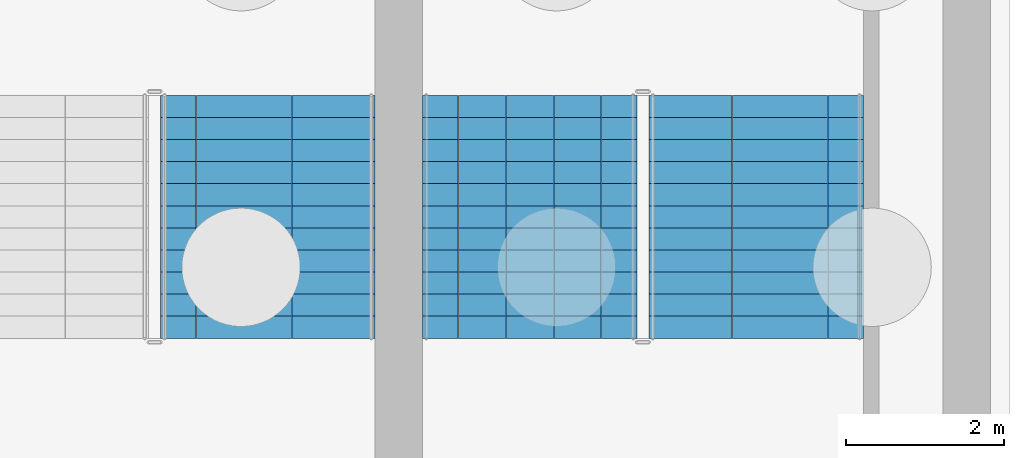
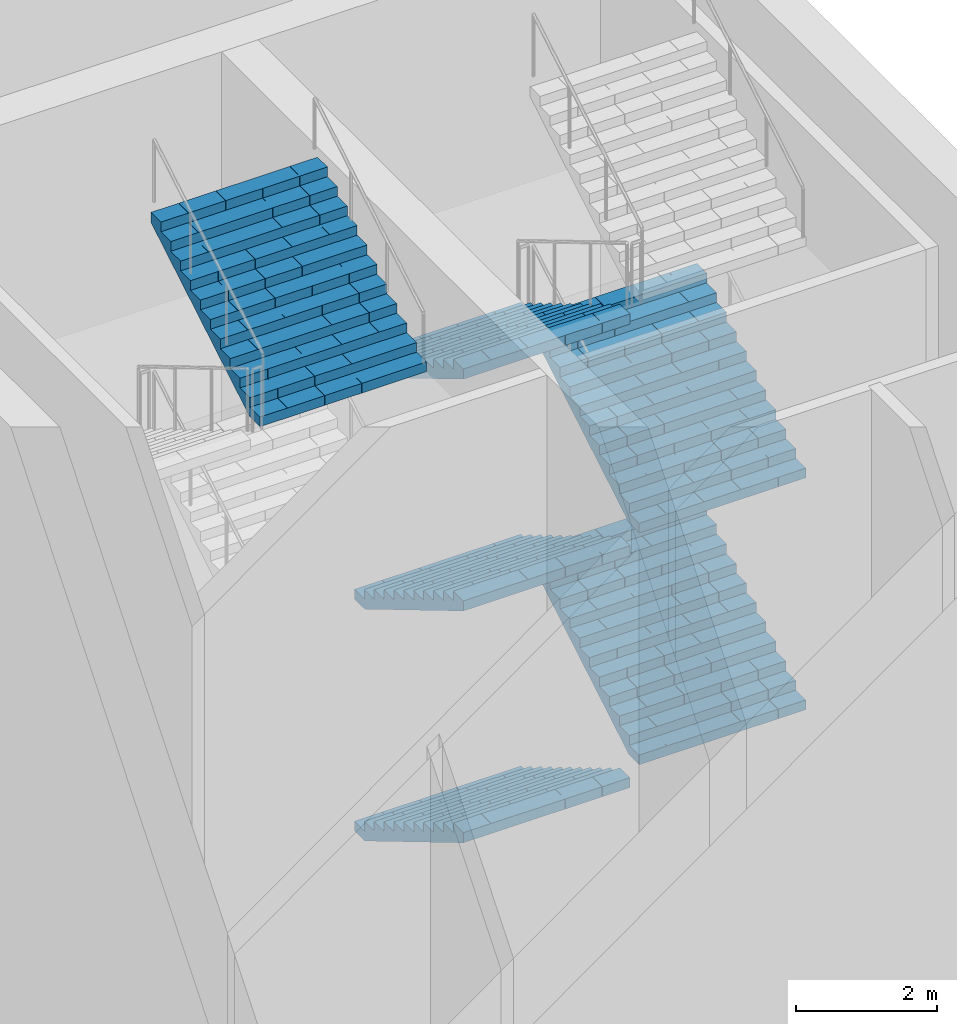
# One storey, part 18 of 34: 6 stair flights, 2 elements without a shape of their own.
"""IFC4 building model written with IfcOpenShell, lengths in metres."""

from ifc_helpers import new_model, si_unit, direction, frame, origin, place, context, subcontext, project, spatial, polyline, outline, extrude, material, type_object, element, aggregate, save


model = new_model("IFC4")

# Units and contexts
model_context = context("Model", 3, precision=1e-05, world=origin(), true_north=direction((0.0, 1.0)))
body_context = subcontext(model_context, "Body", "Model", "MODEL_VIEW")
ifc_project = project(units=[si_unit("LENGTHUNIT", "METRE"), si_unit("AREAUNIT", "SQUARE_METRE"), si_unit("VOLUMEUNIT", "CUBIC_METRE"), si_unit("PLANEANGLEUNIT", "RADIAN"), si_unit("MASSUNIT", "GRAM", prefix="KILO")], contexts=[model_context])

# Site, building, storey
site_placement = place(None, origin())
site = spatial("IfcSite", under=ifc_project, at=site_placement, CompositionType="ELEMENT")
building_placement = place(site_placement, origin())
building = spatial("IfcBuilding", under=site, at=building_placement, Name="Corbelhall Arena Tower", CompositionType="ELEMENT")
storey_placement = place(building_placement, origin())
storey = spatial("IfcBuildingStorey", under=building, at=storey_placement, Name="L00", CompositionType="ELEMENT", Elevation=0.0)

# Stair, stair flight
ifc_material = material(Name="Reinforced concrete C40/50", Category="concrete")
stair_type = type_object("IfcStairType", Name="AR-EXIT-STAIR", PredefinedType="HALF_TURN_STAIR", material=ifc_material)
stair_1_placement = place(storey_placement, origin())
stair_1 = element("IfcStair", 1, at=stair_1_placement, inside=storey, type_object=stair_type, Name="L00 exit stair AS5", PredefinedType="HALF_TURN_STAIR")
stair_flight_type = type_object("IfcStairFlightType", Name="AR-EXIT-FLIGHT", PredefinedType="STRAIGHT", material=ifc_material)
stair_flight_1_placement = place(storey_placement, frame((38.840087890625, -30.39990234375, 10.0), z_axis=(0.0, 0.0, 1.0), x_axis=(0.0, 1.0, 0.0)))
stair_flight_1 = element("IfcStairFlight", 2, at=stair_flight_1_placement, type_object=stair_flight_type, Name="AS5 flight 6", NumberOfRisers=12, NumberOfTreads=11, PredefinedType="STRAIGHT", RiserHeight=0.166666667, TreadLength=0.28, context=body_context, shape_type="SweptSolid", body=[
    extrude(outline(polyline([(0.0, 0.0), (0.0, 0.166748046875), (0.280029296875, 0.166748046875), (0.280029296875, 0.333251953125), (0.56005859375, 0.333251953125), (0.56005859375, 0.5), (0.840087890625, 0.5), (0.840087890625, 0.666748046875), (1.1201171875, 0.666748046875), (1.1201171875, 0.833251953125), (1.39990234375, 0.833251953125), (1.39990234375, 1.0), (1.679931640625, 1.0), (1.679931640625, 1.166748046875), (1.9599609375, 1.166748046875), (1.9599609375, 1.333251953125), (2.239990234375, 1.333251953125), (2.239990234375, 1.5), (2.52001953125, 1.5), (2.52001953125, 1.666748046875), (2.800048828125, 1.666748046875), (2.800048828125, 1.833251953125), (3.080078125, 1.833251953125), (3.080078125, 2.0), (3.080078125, 1.658935546875), (0.29296875, 0.0), (0.0, 0.0)])), frame((0.0, 1.35986328125, 0.0), z_axis=(0.0, -1.0, 0.0), x_axis=(1.0, 0.0, 0.0)), (0.0, 0.0, 1.0), 0.449951171875),
    extrude(outline(polyline([(0.0, 0.0), (0.0, 0.166748046875), (0.280029296875, 0.166748046875), (0.280029296875, 0.333251953125), (0.56005859375, 0.333251953125), (0.56005859375, 0.5), (0.840087890625, 0.5), (0.840087890625, 0.666748046875), (1.1201171875, 0.666748046875), (1.1201171875, 0.833251953125), (1.39990234375, 0.833251953125), (1.39990234375, 1.0), (1.679931640625, 1.0), (1.679931640625, 1.166748046875), (1.9599609375, 1.166748046875), (1.9599609375, 1.333251953125), (2.239990234375, 1.333251953125), (2.239990234375, 1.5), (2.52001953125, 1.5), (2.52001953125, 1.666748046875), (2.800048828125, 1.666748046875), (2.800048828125, 1.833251953125), (3.080078125, 1.833251953125), (3.080078125, 2.0), (3.080078125, 1.658935546875), (0.29296875, 0.0), (0.0, 0.0)])), frame((0.0, 0.906005859375, 0.0), z_axis=(0.0, -1.0, 0.0), x_axis=(1.0, 0.0, 0.0)), (0.0, 0.0, 1.0), 0.601318359375),
    extrude(outline(polyline([(0.0, 0.0), (0.0, 0.166748046875), (0.280029296875, 0.166748046875), (0.280029296875, 0.333251953125), (0.56005859375, 0.333251953125), (0.56005859375, 0.5), (0.840087890625, 0.5), (0.840087890625, 0.666748046875), (1.1201171875, 0.666748046875), (1.1201171875, 0.833251953125), (1.39990234375, 0.833251953125), (1.39990234375, 1.0), (1.679931640625, 1.0), (1.679931640625, 1.166748046875), (1.9599609375, 1.166748046875), (1.9599609375, 1.333251953125), (2.239990234375, 1.333251953125), (2.239990234375, 1.5), (2.52001953125, 1.5), (2.52001953125, 1.666748046875), (2.800048828125, 1.666748046875), (2.800048828125, 1.833251953125), (3.080078125, 1.833251953125), (3.080078125, 2.0), (3.080078125, 1.658935546875), (0.29296875, 0.0), (0.0, 0.0)])), frame((0.0, 0.30078125, 0.0), z_axis=(0.0, -1.0, 0.0), x_axis=(1.0, 0.0, 0.0)), (0.0, 0.0, 1.0), 0.601318359375),
    extrude(outline(polyline([(0.0, 0.0), (0.0, 0.166748046875), (0.280029296875, 0.166748046875), (0.280029296875, 0.333251953125), (0.56005859375, 0.333251953125), (0.56005859375, 0.5), (0.840087890625, 0.5), (0.840087890625, 0.666748046875), (1.1201171875, 0.666748046875), (1.1201171875, 0.833251953125), (1.39990234375, 0.833251953125), (1.39990234375, 1.0), (1.679931640625, 1.0), (1.679931640625, 1.166748046875), (1.9599609375, 1.166748046875), (1.9599609375, 1.333251953125), (2.239990234375, 1.333251953125), (2.239990234375, 1.5), (2.52001953125, 1.5), (2.52001953125, 1.666748046875), (2.800048828125, 1.666748046875), (2.800048828125, 1.833251953125), (3.080078125, 1.833251953125), (3.080078125, 2.0), (3.080078125, 1.658935546875), (0.29296875, 0.0), (0.0, 0.0)])), frame((0.0, -0.3046875, 0.0), z_axis=(0.0, -1.0, 0.0), x_axis=(1.0, 0.0, 0.0)), (0.0, 0.0, 1.0), 0.601318359375),
    extrude(outline(polyline([(0.0, 0.0), (0.0, 0.166748046875), (0.280029296875, 0.166748046875), (0.280029296875, 0.333251953125), (0.56005859375, 0.333251953125), (0.56005859375, 0.5), (0.840087890625, 0.5), (0.840087890625, 0.666748046875), (1.1201171875, 0.666748046875), (1.1201171875, 0.833251953125), (1.39990234375, 0.833251953125), (1.39990234375, 1.0), (1.679931640625, 1.0), (1.679931640625, 1.166748046875), (1.9599609375, 1.166748046875), (1.9599609375, 1.333251953125), (2.239990234375, 1.333251953125), (2.239990234375, 1.5), (2.52001953125, 1.5), (2.52001953125, 1.666748046875), (2.800048828125, 1.666748046875), (2.800048828125, 1.833251953125), (3.080078125, 1.833251953125), (3.080078125, 2.0), (3.080078125, 1.658935546875), (0.29296875, 0.0), (0.0, 0.0)])), frame((0.0, -0.909912109375, 0.0), z_axis=(0.0, -1.0, 0.0), x_axis=(1.0, 0.0, 0.0)), (0.0, 0.0, 1.0), 0.449951171875),
])
aggregate(stair_1, [stair_flight_1])

# Stair, stair flights
stair_2_placement = place(storey_placement, origin())
stair_2 = element("IfcStair", 3, at=stair_2_placement, inside=storey, type_object=stair_type, Name="L00 exit stair AS6", PredefinedType="HALF_TURN_STAIR")
stair_flight_2_placement = place(storey_placement, frame((42.159912109375, -27.320068359375, 0.0), z_axis=(0.0, 0.0, 1.0), x_axis=(0.0, -1.0, 0.0)))
stair_flight_2 = element("IfcStairFlight", 4, at=stair_flight_2_placement, type_object=stair_flight_type, Name="AS6 flight 1", NumberOfRisers=12, NumberOfTreads=11, PredefinedType="STRAIGHT", RiserHeight=0.166666667, TreadLength=0.28, context=body_context, shape_type="SweptSolid", body=[
    extrude(outline(polyline([(0.0, 0.0), (0.0, 0.166748046875), (0.280029296875, 0.166748046875), (0.280029296875, 0.333251953125), (0.56005859375, 0.333251953125), (0.56005859375, 0.5), (0.840087890625, 0.5), (0.840087890625, 0.666748046875), (1.1201171875, 0.666748046875), (1.1201171875, 0.833251953125), (1.39990234375, 0.833251953125), (1.39990234375, 1.0), (1.679931640625, 1.0), (1.679931640625, 1.166748046875), (1.9599609375, 1.166748046875), (1.9599609375, 1.333251953125), (2.239990234375, 1.333251953125), (2.239990234375, 1.5), (2.52001953125, 1.5), (2.52001953125, 1.666748046875), (2.800048828125, 1.666748046875), (2.800048828125, 1.833251953125), (3.080078125, 1.833251953125), (3.080078125, 2.0), (3.080078125, 1.658935546875), (0.29296875, 0.0), (0.0, 0.0)])), frame((0.0, 1.35986328125, 0.0), z_axis=(0.0, -1.0, 0.0), x_axis=(1.0, 0.0, 0.0)), (0.0, 0.0, 1.0), 0.449951171875),
    extrude(outline(polyline([(0.0, 0.0), (0.0, 0.166748046875), (0.280029296875, 0.166748046875), (0.280029296875, 0.333251953125), (0.56005859375, 0.333251953125), (0.56005859375, 0.5), (0.840087890625, 0.5), (0.840087890625, 0.666748046875), (1.1201171875, 0.666748046875), (1.1201171875, 0.833251953125), (1.39990234375, 0.833251953125), (1.39990234375, 1.0), (1.679931640625, 1.0), (1.679931640625, 1.166748046875), (1.9599609375, 1.166748046875), (1.9599609375, 1.333251953125), (2.239990234375, 1.333251953125), (2.239990234375, 1.5), (2.52001953125, 1.5), (2.52001953125, 1.666748046875), (2.800048828125, 1.666748046875), (2.800048828125, 1.833251953125), (3.080078125, 1.833251953125), (3.080078125, 2.0), (3.080078125, 1.658935546875), (0.29296875, 0.0), (0.0, 0.0)])), frame((0.0, 0.906005859375, 0.0), z_axis=(0.0, -1.0, 0.0), x_axis=(1.0, 0.0, 0.0)), (0.0, 0.0, 1.0), 0.601318359375),
    extrude(outline(polyline([(0.0, 0.0), (0.0, 0.166748046875), (0.280029296875, 0.166748046875), (0.280029296875, 0.333251953125), (0.56005859375, 0.333251953125), (0.56005859375, 0.5), (0.840087890625, 0.5), (0.840087890625, 0.666748046875), (1.1201171875, 0.666748046875), (1.1201171875, 0.833251953125), (1.39990234375, 0.833251953125), (1.39990234375, 1.0), (1.679931640625, 1.0), (1.679931640625, 1.166748046875), (1.9599609375, 1.166748046875), (1.9599609375, 1.333251953125), (2.239990234375, 1.333251953125), (2.239990234375, 1.5), (2.52001953125, 1.5), (2.52001953125, 1.666748046875), (2.800048828125, 1.666748046875), (2.800048828125, 1.833251953125), (3.080078125, 1.833251953125), (3.080078125, 2.0), (3.080078125, 1.658935546875), (0.29296875, 0.0), (0.0, 0.0)])), frame((0.0, 0.30078125, 0.0), z_axis=(0.0, -1.0, 0.0), x_axis=(1.0, 0.0, 0.0)), (0.0, 0.0, 1.0), 0.601318359375),
    extrude(outline(polyline([(0.0, 0.0), (0.0, 0.166748046875), (0.280029296875, 0.166748046875), (0.280029296875, 0.333251953125), (0.56005859375, 0.333251953125), (0.56005859375, 0.5), (0.840087890625, 0.5), (0.840087890625, 0.666748046875), (1.1201171875, 0.666748046875), (1.1201171875, 0.833251953125), (1.39990234375, 0.833251953125), (1.39990234375, 1.0), (1.679931640625, 1.0), (1.679931640625, 1.166748046875), (1.9599609375, 1.166748046875), (1.9599609375, 1.333251953125), (2.239990234375, 1.333251953125), (2.239990234375, 1.5), (2.52001953125, 1.5), (2.52001953125, 1.666748046875), (2.800048828125, 1.666748046875), (2.800048828125, 1.833251953125), (3.080078125, 1.833251953125), (3.080078125, 2.0), (3.080078125, 1.658935546875), (0.29296875, 0.0), (0.0, 0.0)])), frame((0.0, -0.3046875, 0.0), z_axis=(0.0, -1.0, 0.0), x_axis=(1.0, 0.0, 0.0)), (0.0, 0.0, 1.0), 0.601318359375),
    extrude(outline(polyline([(0.0, 0.0), (0.0, 0.166748046875), (0.280029296875, 0.166748046875), (0.280029296875, 0.333251953125), (0.56005859375, 0.333251953125), (0.56005859375, 0.5), (0.840087890625, 0.5), (0.840087890625, 0.666748046875), (1.1201171875, 0.666748046875), (1.1201171875, 0.833251953125), (1.39990234375, 0.833251953125), (1.39990234375, 1.0), (1.679931640625, 1.0), (1.679931640625, 1.166748046875), (1.9599609375, 1.166748046875), (1.9599609375, 1.333251953125), (2.239990234375, 1.333251953125), (2.239990234375, 1.5), (2.52001953125, 1.5), (2.52001953125, 1.666748046875), (2.800048828125, 1.666748046875), (2.800048828125, 1.833251953125), (3.080078125, 1.833251953125), (3.080078125, 2.0), (3.080078125, 1.658935546875), (0.29296875, 0.0), (0.0, 0.0)])), frame((0.0, -0.909912109375, 0.0), z_axis=(0.0, -1.0, 0.0), x_axis=(1.0, 0.0, 0.0)), (0.0, 0.0, 1.0), 0.449951171875),
])
stair_flight_3_placement = place(storey_placement, frame((45.030029296875, -30.39990234375, 2.0), z_axis=(0.0, 0.0, 1.0), x_axis=(0.0, 1.0, 0.0)))
stair_flight_3 = element("IfcStairFlight", 5, at=stair_flight_3_placement, type_object=stair_flight_type, Name="AS6 flight 2", NumberOfRisers=12, NumberOfTreads=11, PredefinedType="STRAIGHT", RiserHeight=0.166666667, TreadLength=0.28, context=body_context, shape_type="SweptSolid", body=[
    extrude(outline(polyline([(0.0, 0.0), (0.0, 0.166748046875), (0.280029296875, 0.166748046875), (0.280029296875, 0.333251953125), (0.56005859375, 0.333251953125), (0.56005859375, 0.5), (0.840087890625, 0.5), (0.840087890625, 0.666748046875), (1.1201171875, 0.666748046875), (1.1201171875, 0.833251953125), (1.39990234375, 0.833251953125), (1.39990234375, 1.0), (1.679931640625, 1.0), (1.679931640625, 1.166748046875), (1.9599609375, 1.166748046875), (1.9599609375, 1.333251953125), (2.239990234375, 1.333251953125), (2.239990234375, 1.5), (2.52001953125, 1.5), (2.52001953125, 1.666748046875), (2.800048828125, 1.666748046875), (2.800048828125, 1.833251953125), (3.080078125, 1.833251953125), (3.080078125, 2.0), (3.080078125, 1.658935546875), (0.29296875, 0.0), (0.0, 0.0)])), frame((0.0, 1.35986328125, 0.0), z_axis=(0.0, -1.0, 0.0), x_axis=(1.0, 0.0, 0.0)), (0.0, 0.0, 1.0), 0.449951171875),
    extrude(outline(polyline([(0.0, 0.0), (0.0, 0.166748046875), (0.280029296875, 0.166748046875), (0.280029296875, 0.333251953125), (0.56005859375, 0.333251953125), (0.56005859375, 0.5), (0.840087890625, 0.5), (0.840087890625, 0.666748046875), (1.1201171875, 0.666748046875), (1.1201171875, 0.833251953125), (1.39990234375, 0.833251953125), (1.39990234375, 1.0), (1.679931640625, 1.0), (1.679931640625, 1.166748046875), (1.9599609375, 1.166748046875), (1.9599609375, 1.333251953125), (2.239990234375, 1.333251953125), (2.239990234375, 1.5), (2.52001953125, 1.5), (2.52001953125, 1.666748046875), (2.800048828125, 1.666748046875), (2.800048828125, 1.833251953125), (3.080078125, 1.833251953125), (3.080078125, 2.0), (3.080078125, 1.658935546875), (0.29296875, 0.0), (0.0, 0.0)])), frame((0.0, 0.906005859375, 0.0), z_axis=(0.0, -1.0, 0.0), x_axis=(1.0, 0.0, 0.0)), (0.0, 0.0, 1.0), 0.601318359375),
    extrude(outline(polyline([(0.0, 0.0), (0.0, 0.166748046875), (0.280029296875, 0.166748046875), (0.280029296875, 0.333251953125), (0.56005859375, 0.333251953125), (0.56005859375, 0.5), (0.840087890625, 0.5), (0.840087890625, 0.666748046875), (1.1201171875, 0.666748046875), (1.1201171875, 0.833251953125), (1.39990234375, 0.833251953125), (1.39990234375, 1.0), (1.679931640625, 1.0), (1.679931640625, 1.166748046875), (1.9599609375, 1.166748046875), (1.9599609375, 1.333251953125), (2.239990234375, 1.333251953125), (2.239990234375, 1.5), (2.52001953125, 1.5), (2.52001953125, 1.666748046875), (2.800048828125, 1.666748046875), (2.800048828125, 1.833251953125), (3.080078125, 1.833251953125), (3.080078125, 2.0), (3.080078125, 1.658935546875), (0.29296875, 0.0), (0.0, 0.0)])), frame((0.0, 0.30078125, 0.0), z_axis=(0.0, -1.0, 0.0), x_axis=(1.0, 0.0, 0.0)), (0.0, 0.0, 1.0), 0.601318359375),
    extrude(outline(polyline([(0.0, 0.0), (0.0, 0.166748046875), (0.280029296875, 0.166748046875), (0.280029296875, 0.333251953125), (0.56005859375, 0.333251953125), (0.56005859375, 0.5), (0.840087890625, 0.5), (0.840087890625, 0.666748046875), (1.1201171875, 0.666748046875), (1.1201171875, 0.833251953125), (1.39990234375, 0.833251953125), (1.39990234375, 1.0), (1.679931640625, 1.0), (1.679931640625, 1.166748046875), (1.9599609375, 1.166748046875), (1.9599609375, 1.333251953125), (2.239990234375, 1.333251953125), (2.239990234375, 1.5), (2.52001953125, 1.5), (2.52001953125, 1.666748046875), (2.800048828125, 1.666748046875), (2.800048828125, 1.833251953125), (3.080078125, 1.833251953125), (3.080078125, 2.0), (3.080078125, 1.658935546875), (0.29296875, 0.0), (0.0, 0.0)])), frame((0.0, -0.3046875, 0.0), z_axis=(0.0, -1.0, 0.0), x_axis=(1.0, 0.0, 0.0)), (0.0, 0.0, 1.0), 0.601318359375),
    extrude(outline(polyline([(0.0, 0.0), (0.0, 0.166748046875), (0.280029296875, 0.166748046875), (0.280029296875, 0.333251953125), (0.56005859375, 0.333251953125), (0.56005859375, 0.5), (0.840087890625, 0.5), (0.840087890625, 0.666748046875), (1.1201171875, 0.666748046875), (1.1201171875, 0.833251953125), (1.39990234375, 0.833251953125), (1.39990234375, 1.0), (1.679931640625, 1.0), (1.679931640625, 1.166748046875), (1.9599609375, 1.166748046875), (1.9599609375, 1.333251953125), (2.239990234375, 1.333251953125), (2.239990234375, 1.5), (2.52001953125, 1.5), (2.52001953125, 1.666748046875), (2.800048828125, 1.666748046875), (2.800048828125, 1.833251953125), (3.080078125, 1.833251953125), (3.080078125, 2.0), (3.080078125, 1.658935546875), (0.29296875, 0.0), (0.0, 0.0)])), frame((0.0, -0.909912109375, 0.0), z_axis=(0.0, -1.0, 0.0), x_axis=(1.0, 0.0, 0.0)), (0.0, 0.0, 1.0), 0.449951171875),
])
stair_flight_4_placement = place(storey_placement, frame((42.159912109375, -27.320068359375, 4.0), z_axis=(0.0, 0.0, 1.0), x_axis=(0.0, -1.0, 0.0)))
stair_flight_4 = element("IfcStairFlight", 6, at=stair_flight_4_placement, type_object=stair_flight_type, Name="AS6 flight 3", NumberOfRisers=12, NumberOfTreads=11, PredefinedType="STRAIGHT", RiserHeight=0.166666667, TreadLength=0.28, context=body_context, shape_type="SweptSolid", body=[
    extrude(outline(polyline([(0.0, 0.0), (0.0, 0.166748046875), (0.280029296875, 0.166748046875), (0.280029296875, 0.333251953125), (0.56005859375, 0.333251953125), (0.56005859375, 0.5), (0.840087890625, 0.5), (0.840087890625, 0.666748046875), (1.1201171875, 0.666748046875), (1.1201171875, 0.833251953125), (1.39990234375, 0.833251953125), (1.39990234375, 1.0), (1.679931640625, 1.0), (1.679931640625, 1.166748046875), (1.9599609375, 1.166748046875), (1.9599609375, 1.333251953125), (2.239990234375, 1.333251953125), (2.239990234375, 1.5), (2.52001953125, 1.5), (2.52001953125, 1.666748046875), (2.800048828125, 1.666748046875), (2.800048828125, 1.833251953125), (3.080078125, 1.833251953125), (3.080078125, 2.0), (3.080078125, 1.658935546875), (0.29296875, 0.0), (0.0, 0.0)])), frame((0.0, 1.35986328125, 0.0), z_axis=(0.0, -1.0, 0.0), x_axis=(1.0, 0.0, 0.0)), (0.0, 0.0, 1.0), 0.449951171875),
    extrude(outline(polyline([(0.0, 0.0), (0.0, 0.166748046875), (0.280029296875, 0.166748046875), (0.280029296875, 0.333251953125), (0.56005859375, 0.333251953125), (0.56005859375, 0.5), (0.840087890625, 0.5), (0.840087890625, 0.666748046875), (1.1201171875, 0.666748046875), (1.1201171875, 0.833251953125), (1.39990234375, 0.833251953125), (1.39990234375, 1.0), (1.679931640625, 1.0), (1.679931640625, 1.166748046875), (1.9599609375, 1.166748046875), (1.9599609375, 1.333251953125), (2.239990234375, 1.333251953125), (2.239990234375, 1.5), (2.52001953125, 1.5), (2.52001953125, 1.666748046875), (2.800048828125, 1.666748046875), (2.800048828125, 1.833251953125), (3.080078125, 1.833251953125), (3.080078125, 2.0), (3.080078125, 1.658935546875), (0.29296875, 0.0), (0.0, 0.0)])), frame((0.0, 0.906005859375, 0.0), z_axis=(0.0, -1.0, 0.0), x_axis=(1.0, 0.0, 0.0)), (0.0, 0.0, 1.0), 0.601318359375),
    extrude(outline(polyline([(0.0, 0.0), (0.0, 0.166748046875), (0.280029296875, 0.166748046875), (0.280029296875, 0.333251953125), (0.56005859375, 0.333251953125), (0.56005859375, 0.5), (0.840087890625, 0.5), (0.840087890625, 0.666748046875), (1.1201171875, 0.666748046875), (1.1201171875, 0.833251953125), (1.39990234375, 0.833251953125), (1.39990234375, 1.0), (1.679931640625, 1.0), (1.679931640625, 1.166748046875), (1.9599609375, 1.166748046875), (1.9599609375, 1.333251953125), (2.239990234375, 1.333251953125), (2.239990234375, 1.5), (2.52001953125, 1.5), (2.52001953125, 1.666748046875), (2.800048828125, 1.666748046875), (2.800048828125, 1.833251953125), (3.080078125, 1.833251953125), (3.080078125, 2.0), (3.080078125, 1.658935546875), (0.29296875, 0.0), (0.0, 0.0)])), frame((0.0, 0.30078125, 0.0), z_axis=(0.0, -1.0, 0.0), x_axis=(1.0, 0.0, 0.0)), (0.0, 0.0, 1.0), 0.601318359375),
    extrude(outline(polyline([(0.0, 0.0), (0.0, 0.166748046875), (0.280029296875, 0.166748046875), (0.280029296875, 0.333251953125), (0.56005859375, 0.333251953125), (0.56005859375, 0.5), (0.840087890625, 0.5), (0.840087890625, 0.666748046875), (1.1201171875, 0.666748046875), (1.1201171875, 0.833251953125), (1.39990234375, 0.833251953125), (1.39990234375, 1.0), (1.679931640625, 1.0), (1.679931640625, 1.166748046875), (1.9599609375, 1.166748046875), (1.9599609375, 1.333251953125), (2.239990234375, 1.333251953125), (2.239990234375, 1.5), (2.52001953125, 1.5), (2.52001953125, 1.666748046875), (2.800048828125, 1.666748046875), (2.800048828125, 1.833251953125), (3.080078125, 1.833251953125), (3.080078125, 2.0), (3.080078125, 1.658935546875), (0.29296875, 0.0), (0.0, 0.0)])), frame((0.0, -0.3046875, 0.0), z_axis=(0.0, -1.0, 0.0), x_axis=(1.0, 0.0, 0.0)), (0.0, 0.0, 1.0), 0.601318359375),
    extrude(outline(polyline([(0.0, 0.0), (0.0, 0.166748046875), (0.280029296875, 0.166748046875), (0.280029296875, 0.333251953125), (0.56005859375, 0.333251953125), (0.56005859375, 0.5), (0.840087890625, 0.5), (0.840087890625, 0.666748046875), (1.1201171875, 0.666748046875), (1.1201171875, 0.833251953125), (1.39990234375, 0.833251953125), (1.39990234375, 1.0), (1.679931640625, 1.0), (1.679931640625, 1.166748046875), (1.9599609375, 1.166748046875), (1.9599609375, 1.333251953125), (2.239990234375, 1.333251953125), (2.239990234375, 1.5), (2.52001953125, 1.5), (2.52001953125, 1.666748046875), (2.800048828125, 1.666748046875), (2.800048828125, 1.833251953125), (3.080078125, 1.833251953125), (3.080078125, 2.0), (3.080078125, 1.658935546875), (0.29296875, 0.0), (0.0, 0.0)])), frame((0.0, -0.909912109375, 0.0), z_axis=(0.0, -1.0, 0.0), x_axis=(1.0, 0.0, 0.0)), (0.0, 0.0, 1.0), 0.449951171875),
])
stair_flight_5_placement = place(storey_placement, frame((45.030029296875, -30.39990234375, 6.0), z_axis=(0.0, 0.0, 1.0), x_axis=(0.0, 1.0, 0.0)))
stair_flight_5 = element("IfcStairFlight", 7, at=stair_flight_5_placement, type_object=stair_flight_type, Name="AS6 flight 4", NumberOfRisers=12, NumberOfTreads=11, PredefinedType="STRAIGHT", RiserHeight=0.166666667, TreadLength=0.28, context=body_context, shape_type="SweptSolid", body=[
    extrude(outline(polyline([(0.0, 0.0), (0.0, 0.166748046875), (0.280029296875, 0.166748046875), (0.280029296875, 0.333251953125), (0.56005859375, 0.333251953125), (0.56005859375, 0.5), (0.840087890625, 0.5), (0.840087890625, 0.666748046875), (1.1201171875, 0.666748046875), (1.1201171875, 0.833251953125), (1.39990234375, 0.833251953125), (1.39990234375, 1.0), (1.679931640625, 1.0), (1.679931640625, 1.166748046875), (1.9599609375, 1.166748046875), (1.9599609375, 1.333251953125), (2.239990234375, 1.333251953125), (2.239990234375, 1.5), (2.52001953125, 1.5), (2.52001953125, 1.666748046875), (2.800048828125, 1.666748046875), (2.800048828125, 1.833251953125), (3.080078125, 1.833251953125), (3.080078125, 2.0), (3.080078125, 1.658935546875), (0.29296875, 0.0), (0.0, 0.0)])), frame((0.0, 1.35986328125, 0.0), z_axis=(0.0, -1.0, 0.0), x_axis=(1.0, 0.0, 0.0)), (0.0, 0.0, 1.0), 0.449951171875),
    extrude(outline(polyline([(0.0, 0.0), (0.0, 0.166748046875), (0.280029296875, 0.166748046875), (0.280029296875, 0.333251953125), (0.56005859375, 0.333251953125), (0.56005859375, 0.5), (0.840087890625, 0.5), (0.840087890625, 0.666748046875), (1.1201171875, 0.666748046875), (1.1201171875, 0.833251953125), (1.39990234375, 0.833251953125), (1.39990234375, 1.0), (1.679931640625, 1.0), (1.679931640625, 1.166748046875), (1.9599609375, 1.166748046875), (1.9599609375, 1.333251953125), (2.239990234375, 1.333251953125), (2.239990234375, 1.5), (2.52001953125, 1.5), (2.52001953125, 1.666748046875), (2.800048828125, 1.666748046875), (2.800048828125, 1.833251953125), (3.080078125, 1.833251953125), (3.080078125, 2.0), (3.080078125, 1.658935546875), (0.29296875, 0.0), (0.0, 0.0)])), frame((0.0, 0.906005859375, 0.0), z_axis=(0.0, -1.0, 0.0), x_axis=(1.0, 0.0, 0.0)), (0.0, 0.0, 1.0), 0.601318359375),
    extrude(outline(polyline([(0.0, 0.0), (0.0, 0.166748046875), (0.280029296875, 0.166748046875), (0.280029296875, 0.333251953125), (0.56005859375, 0.333251953125), (0.56005859375, 0.5), (0.840087890625, 0.5), (0.840087890625, 0.666748046875), (1.1201171875, 0.666748046875), (1.1201171875, 0.833251953125), (1.39990234375, 0.833251953125), (1.39990234375, 1.0), (1.679931640625, 1.0), (1.679931640625, 1.166748046875), (1.9599609375, 1.166748046875), (1.9599609375, 1.333251953125), (2.239990234375, 1.333251953125), (2.239990234375, 1.5), (2.52001953125, 1.5), (2.52001953125, 1.666748046875), (2.800048828125, 1.666748046875), (2.800048828125, 1.833251953125), (3.080078125, 1.833251953125), (3.080078125, 2.0), (3.080078125, 1.658935546875), (0.29296875, 0.0), (0.0, 0.0)])), frame((0.0, 0.30078125, 0.0), z_axis=(0.0, -1.0, 0.0), x_axis=(1.0, 0.0, 0.0)), (0.0, 0.0, 1.0), 0.601318359375),
    extrude(outline(polyline([(0.0, 0.0), (0.0, 0.166748046875), (0.280029296875, 0.166748046875), (0.280029296875, 0.333251953125), (0.56005859375, 0.333251953125), (0.56005859375, 0.5), (0.840087890625, 0.5), (0.840087890625, 0.666748046875), (1.1201171875, 0.666748046875), (1.1201171875, 0.833251953125), (1.39990234375, 0.833251953125), (1.39990234375, 1.0), (1.679931640625, 1.0), (1.679931640625, 1.166748046875), (1.9599609375, 1.166748046875), (1.9599609375, 1.333251953125), (2.239990234375, 1.333251953125), (2.239990234375, 1.5), (2.52001953125, 1.5), (2.52001953125, 1.666748046875), (2.800048828125, 1.666748046875), (2.800048828125, 1.833251953125), (3.080078125, 1.833251953125), (3.080078125, 2.0), (3.080078125, 1.658935546875), (0.29296875, 0.0), (0.0, 0.0)])), frame((0.0, -0.3046875, 0.0), z_axis=(0.0, -1.0, 0.0), x_axis=(1.0, 0.0, 0.0)), (0.0, 0.0, 1.0), 0.601318359375),
    extrude(outline(polyline([(0.0, 0.0), (0.0, 0.166748046875), (0.280029296875, 0.166748046875), (0.280029296875, 0.333251953125), (0.56005859375, 0.333251953125), (0.56005859375, 0.5), (0.840087890625, 0.5), (0.840087890625, 0.666748046875), (1.1201171875, 0.666748046875), (1.1201171875, 0.833251953125), (1.39990234375, 0.833251953125), (1.39990234375, 1.0), (1.679931640625, 1.0), (1.679931640625, 1.166748046875), (1.9599609375, 1.166748046875), (1.9599609375, 1.333251953125), (2.239990234375, 1.333251953125), (2.239990234375, 1.5), (2.52001953125, 1.5), (2.52001953125, 1.666748046875), (2.800048828125, 1.666748046875), (2.800048828125, 1.833251953125), (3.080078125, 1.833251953125), (3.080078125, 2.0), (3.080078125, 1.658935546875), (0.29296875, 0.0), (0.0, 0.0)])), frame((0.0, -0.909912109375, 0.0), z_axis=(0.0, -1.0, 0.0), x_axis=(1.0, 0.0, 0.0)), (0.0, 0.0, 1.0), 0.449951171875),
])
stair_flight_6_placement = place(storey_placement, frame((42.159912109375, -27.320068359375, 8.0), z_axis=(0.0, 0.0, 1.0), x_axis=(0.0, -1.0, 0.0)))
stair_flight_6 = element("IfcStairFlight", 8, at=stair_flight_6_placement, type_object=stair_flight_type, Name="AS6 flight 5", NumberOfRisers=12, NumberOfTreads=11, PredefinedType="STRAIGHT", RiserHeight=0.166666667, TreadLength=0.28, context=body_context, shape_type="SweptSolid", body=[
    extrude(outline(polyline([(0.0, 0.0), (0.0, 0.166748046875), (0.280029296875, 0.166748046875), (0.280029296875, 0.333251953125), (0.56005859375, 0.333251953125), (0.56005859375, 0.5), (0.840087890625, 0.5), (0.840087890625, 0.666748046875), (1.1201171875, 0.666748046875), (1.1201171875, 0.833251953125), (1.39990234375, 0.833251953125), (1.39990234375, 1.0), (1.679931640625, 1.0), (1.679931640625, 1.166748046875), (1.9599609375, 1.166748046875), (1.9599609375, 1.333251953125), (2.239990234375, 1.333251953125), (2.239990234375, 1.5), (2.52001953125, 1.5), (2.52001953125, 1.666748046875), (2.800048828125, 1.666748046875), (2.800048828125, 1.833251953125), (3.080078125, 1.833251953125), (3.080078125, 2.0), (3.080078125, 1.658935546875), (0.29296875, 0.0), (0.0, 0.0)])), frame((0.0, 1.35986328125, 0.0), z_axis=(0.0, -1.0, 0.0), x_axis=(1.0, 0.0, 0.0)), (0.0, 0.0, 1.0), 0.449951171875),
    extrude(outline(polyline([(0.0, 0.0), (0.0, 0.166748046875), (0.280029296875, 0.166748046875), (0.280029296875, 0.333251953125), (0.56005859375, 0.333251953125), (0.56005859375, 0.5), (0.840087890625, 0.5), (0.840087890625, 0.666748046875), (1.1201171875, 0.666748046875), (1.1201171875, 0.833251953125), (1.39990234375, 0.833251953125), (1.39990234375, 1.0), (1.679931640625, 1.0), (1.679931640625, 1.166748046875), (1.9599609375, 1.166748046875), (1.9599609375, 1.333251953125), (2.239990234375, 1.333251953125), (2.239990234375, 1.5), (2.52001953125, 1.5), (2.52001953125, 1.666748046875), (2.800048828125, 1.666748046875), (2.800048828125, 1.833251953125), (3.080078125, 1.833251953125), (3.080078125, 2.0), (3.080078125, 1.658935546875), (0.29296875, 0.0), (0.0, 0.0)])), frame((0.0, 0.906005859375, 0.0), z_axis=(0.0, -1.0, 0.0), x_axis=(1.0, 0.0, 0.0)), (0.0, 0.0, 1.0), 0.601318359375),
    extrude(outline(polyline([(0.0, 0.0), (0.0, 0.166748046875), (0.280029296875, 0.166748046875), (0.280029296875, 0.333251953125), (0.56005859375, 0.333251953125), (0.56005859375, 0.5), (0.840087890625, 0.5), (0.840087890625, 0.666748046875), (1.1201171875, 0.666748046875), (1.1201171875, 0.833251953125), (1.39990234375, 0.833251953125), (1.39990234375, 1.0), (1.679931640625, 1.0), (1.679931640625, 1.166748046875), (1.9599609375, 1.166748046875), (1.9599609375, 1.333251953125), (2.239990234375, 1.333251953125), (2.239990234375, 1.5), (2.52001953125, 1.5), (2.52001953125, 1.666748046875), (2.800048828125, 1.666748046875), (2.800048828125, 1.833251953125), (3.080078125, 1.833251953125), (3.080078125, 2.0), (3.080078125, 1.658935546875), (0.29296875, 0.0), (0.0, 0.0)])), frame((0.0, 0.30078125, 0.0), z_axis=(0.0, -1.0, 0.0), x_axis=(1.0, 0.0, 0.0)), (0.0, 0.0, 1.0), 0.601318359375),
    extrude(outline(polyline([(0.0, 0.0), (0.0, 0.166748046875), (0.280029296875, 0.166748046875), (0.280029296875, 0.333251953125), (0.56005859375, 0.333251953125), (0.56005859375, 0.5), (0.840087890625, 0.5), (0.840087890625, 0.666748046875), (1.1201171875, 0.666748046875), (1.1201171875, 0.833251953125), (1.39990234375, 0.833251953125), (1.39990234375, 1.0), (1.679931640625, 1.0), (1.679931640625, 1.166748046875), (1.9599609375, 1.166748046875), (1.9599609375, 1.333251953125), (2.239990234375, 1.333251953125), (2.239990234375, 1.5), (2.52001953125, 1.5), (2.52001953125, 1.666748046875), (2.800048828125, 1.666748046875), (2.800048828125, 1.833251953125), (3.080078125, 1.833251953125), (3.080078125, 2.0), (3.080078125, 1.658935546875), (0.29296875, 0.0), (0.0, 0.0)])), frame((0.0, -0.3046875, 0.0), z_axis=(0.0, -1.0, 0.0), x_axis=(1.0, 0.0, 0.0)), (0.0, 0.0, 1.0), 0.601318359375),
    extrude(outline(polyline([(0.0, 0.0), (0.0, 0.166748046875), (0.280029296875, 0.166748046875), (0.280029296875, 0.333251953125), (0.56005859375, 0.333251953125), (0.56005859375, 0.5), (0.840087890625, 0.5), (0.840087890625, 0.666748046875), (1.1201171875, 0.666748046875), (1.1201171875, 0.833251953125), (1.39990234375, 0.833251953125), (1.39990234375, 1.0), (1.679931640625, 1.0), (1.679931640625, 1.166748046875), (1.9599609375, 1.166748046875), (1.9599609375, 1.333251953125), (2.239990234375, 1.333251953125), (2.239990234375, 1.5), (2.52001953125, 1.5), (2.52001953125, 1.666748046875), (2.800048828125, 1.666748046875), (2.800048828125, 1.833251953125), (3.080078125, 1.833251953125), (3.080078125, 2.0), (3.080078125, 1.658935546875), (0.29296875, 0.0), (0.0, 0.0)])), frame((0.0, -0.909912109375, 0.0), z_axis=(0.0, -1.0, 0.0), x_axis=(1.0, 0.0, 0.0)), (0.0, 0.0, 1.0), 0.449951171875),
])
aggregate(stair_2, [stair_flight_2, stair_flight_3, stair_flight_4, stair_flight_5, stair_flight_6])

save(model, "model.ifc")
